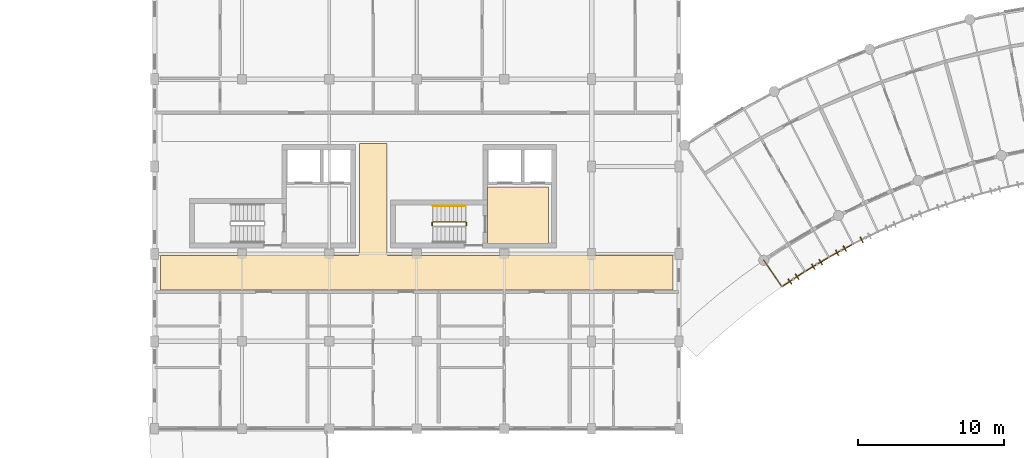
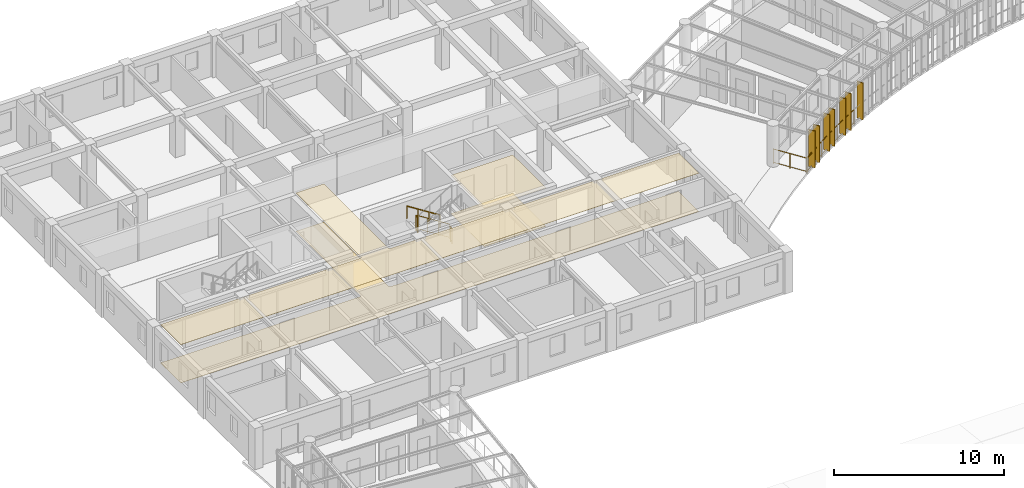
# One storey, part 95 of 100: 8 railings, 7 shading devices, 4 coverings.
"""IFC4 building model written with IfcOpenShell, lengths in metres."""

from ifc_helpers import new_model, si_unit, direction, frame, origin, origin_2d, place, context, subcontext, project, spatial, polyline, rectangle, circle, outline, extrude, material, layer, layer_set, type_object, element, save


model = new_model("IFC4")

# Units and contexts
model_context = context("Model", 3, precision=1e-05, world=origin(), true_north=direction((0.0, 1.0)))
body_context = subcontext(model_context, "Body", "Model", "MODEL_VIEW")
ifc_project = project(units=[si_unit("LENGTHUNIT", "METRE"), si_unit("AREAUNIT", "SQUARE_METRE"), si_unit("VOLUMEUNIT", "CUBIC_METRE"), si_unit("PLANEANGLEUNIT", "RADIAN"), si_unit("MASSUNIT", "GRAM", prefix="KILO"), si_unit("POWERUNIT", "WATT"), si_unit("THERMODYNAMICTEMPERATUREUNIT", "KELVIN")], contexts=[model_context])

# Site, building, storey
site_placement = place(None, origin())
site = spatial("IfcSite", under=ifc_project, at=site_placement, CompositionType="ELEMENT")
building_placement = place(site_placement, origin())
building = spatial("IfcBuilding", under=site, at=building_placement, Name="Ruvembo Vaulted Housing Court", CompositionType="ELEMENT")
storey_placement = place(building_placement, frame((0.0, 0.0, 10.89990234375)))
storey = spatial("IfcBuildingStorey", under=building, at=storey_placement, Name="L03", CompositionType="ELEMENT", Elevation=10.89990234375)

# Coverings
ifc_material_1 = material(Name="Perforated Mineral-Fibre Acoustic Tile", Category="gypsum")
ifc_layer_1 = layer(ifc_material_1, 0.02001953125, Name="Perforated Mineral-Fibre Acoustic Tile")
ifc_layer_set_1 = layer_set([ifc_layer_1], Name="Perforated Mineral-Fibre Acoustic Tile")
covering_type_1 = type_object("IfcCoveringType", Name="COV-CEIL-ACOUST", PredefinedType="CEILING", material=ifc_layer_set_1)
covering_1_placement = place(storey_placement, frame((0.0, 0.0, 2.75)))
element("IfcCovering", 1, at=covering_1_placement, inside=storey, type_object=covering_type_1, Name="Protected Core Lobby B2 Ceiling", PredefinedType="CEILING", context=body_context, shape_type="SweptSolid", body=[
    extrude(outline(polyline([(75.050048828125, 94.60009765625), (70.85009765625, 94.60009765625), (70.85009765625, 90.699951171875), (75.050048828125, 90.699951171875), (75.050048828125, 94.60009765625)])), origin(), (0.0, 0.0, 1.0), 0.02001953125),
])
covering_2_placement = place(storey_placement, frame((0.0, 0.0, 2.75)))
element("IfcCovering", 2, at=covering_2_placement, inside=storey, type_object=covering_type_1, Name="Block B L03 Corridor Ceiling", PredefinedType="CEILING", context=body_context, shape_type="SweptSolid", body=[
    extrude(outline(polyline([(83.590087890625, 87.510009765625), (83.590087890625, 89.889892578125), (64.050048828125, 89.889892578125), (64.039306640625, 89.890380859375), (64.028564453125, 89.89208984375), (64.01806640625, 89.894775390625), (64.0078125, 89.8984375), (63.998046875, 89.903076171875), (63.989013671875, 89.908447265625), (63.980224609375, 89.9150390625), (63.97216796875, 89.922119140625), (63.965087890625, 89.93017578125), (63.95849609375, 89.93896484375), (63.952880859375, 89.947998046875), (63.948486328125, 89.9580078125), (63.944580078125, 89.968017578125), (63.942138671875, 89.978515625), (63.9404296875, 89.9892578125), (63.93994140625, 90.0), (63.93994140625, 97.590087890625), (62.06005859375, 97.590087890625), (62.06005859375, 90.0), (62.0595703125, 89.9892578125), (62.057861328125, 89.978515625), (62.055419921875, 89.968017578125), (62.051513671875, 89.9580078125), (62.047119140625, 89.947998046875), (62.04150390625, 89.93896484375), (62.034912109375, 89.93017578125), (62.02783203125, 89.922119140625), (62.019775390625, 89.9150390625), (62.010986328125, 89.908447265625), (62.001953125, 89.903076171875), (61.9921875, 89.8984375), (61.98193359375, 89.894775390625), (61.971435546875, 89.89208984375), (61.960693359375, 89.890380859375), (61.949951171875, 89.889892578125), (48.409912109375, 89.889892578125), (48.409912109375, 87.510009765625), (83.590087890625, 87.510009765625)])), origin(), (0.0, 0.0, 1.0), 0.02001953125),
])
ifc_material_2 = material(Name="Polished Cement-Aggregate Terrazzo", Category="stone")
ifc_layer_2 = layer(ifc_material_2, 0.02197265625, Name="Polished Cement-Aggregate Terrazzo")
ifc_layer_set_2 = layer_set([ifc_layer_2], Name="Polished Cement-Aggregate Terrazzo")
covering_type_2 = type_object("IfcCoveringType", Name="COV-FLR-CERAMIC", PredefinedType="FLOORING", material=ifc_layer_set_2)
covering_3_placement = place(storey_placement, origin())
element("IfcCovering", 3, at=covering_3_placement, inside=storey, type_object=covering_type_2, Name="Protected Core Lobby B2 Flooring", PredefinedType="FLOORING", context=body_context, shape_type="SweptSolid", body=[
    extrude(outline(polyline([(75.050048828125, 94.60009765625), (70.85009765625, 94.60009765625), (70.85009765625, 90.699951171875), (75.050048828125, 90.699951171875), (75.050048828125, 94.60009765625)])), origin(), (0.0, 0.0, 1.0), 0.022216796875),
])
covering_4_placement = place(storey_placement, origin())
element("IfcCovering", 4, at=covering_4_placement, inside=storey, type_object=covering_type_2, Name="Block B L03 Corridor Flooring", PredefinedType="FLOORING", context=body_context, shape_type="SweptSolid", body=[
    extrude(outline(polyline([(83.590087890625, 87.510009765625), (83.590087890625, 89.889892578125), (64.050048828125, 89.889892578125), (64.039306640625, 89.890380859375), (64.028564453125, 89.89208984375), (64.01806640625, 89.894775390625), (64.0078125, 89.8984375), (63.998046875, 89.903076171875), (63.989013671875, 89.908447265625), (63.980224609375, 89.9150390625), (63.97216796875, 89.922119140625), (63.965087890625, 89.93017578125), (63.95849609375, 89.93896484375), (63.952880859375, 89.947998046875), (63.948486328125, 89.9580078125), (63.944580078125, 89.968017578125), (63.942138671875, 89.978515625), (63.9404296875, 89.9892578125), (63.93994140625, 90.0), (63.93994140625, 97.590087890625), (62.06005859375, 97.590087890625), (62.06005859375, 90.0), (62.0595703125, 89.9892578125), (62.057861328125, 89.978515625), (62.055419921875, 89.968017578125), (62.051513671875, 89.9580078125), (62.047119140625, 89.947998046875), (62.04150390625, 89.93896484375), (62.034912109375, 89.93017578125), (62.02783203125, 89.922119140625), (62.019775390625, 89.9150390625), (62.010986328125, 89.908447265625), (62.001953125, 89.903076171875), (61.9921875, 89.8984375), (61.98193359375, 89.894775390625), (61.971435546875, 89.89208984375), (61.960693359375, 89.890380859375), (61.949951171875, 89.889892578125), (48.409912109375, 89.889892578125), (48.409912109375, 87.510009765625), (83.590087890625, 87.510009765625)])), origin(), (0.0, 0.0, 1.0), 0.022216796875),
])

# Railings
ifc_material_3 = material(Name="Galvanised Painted Steel S275", Category="steel")
ifc_layer_3 = layer(ifc_material_3, 0.06005859375, Name="Galvanised Painted Steel S275")
ifc_layer_set_3 = layer_set([ifc_layer_3], Name="Galvanised Painted Steel S275")
railing_type_1 = type_object("IfcRailingType", Name="RL-GUARD-1100", PredefinedType="GUARDRAIL", material=ifc_layer_set_3)
railing_1_placement = place(storey_placement, frame((89.82177734375, 89.564453125, 0.0)))
element("IfcRailing", 5, at=railing_1_placement, inside=storey, type_object=railing_type_1, Name="L03 Perimeter Guard RL-EXT-L03-0662", PredefinedType="GUARDRAIL", context=body_context, shape_type="SweptSolid", body=[
    extrude(circle(Radius=0.02392578125, at=origin_2d()), frame((0.0, 0.0, 1.076171875), z_axis=(0.566222630619, -0.82425234763, 0.0), x_axis=(0.82425234763, 0.566222630619, 0.0)), (0.0, 0.0, 1.0), 2.199951171875),
    extrude(circle(Radius=0.01806640625, at=origin_2d()), frame((0.0, 0.0, 0.1201171875), z_axis=(0.566222630619, -0.82425234763, 0.0), x_axis=(0.82425234763, 0.566222630619, 0.0)), (0.0, 0.0, 1.0), 2.199951171875),
    extrude(circle(Radius=0.02099609375, at=origin_2d()), origin(), (0.0, 0.0, 1.0), 1.052001953125),
    extrude(circle(Radius=0.02099609375, at=origin_2d()), frame((0.622802734375, -0.90673828125, 0.0)), (0.0, 0.0, 1.0), 1.052001953125),
    extrude(circle(Radius=0.02099609375, at=origin_2d()), frame((1.24560546875, -1.813232421875, 0.0)), (0.0, 0.0, 1.0), 1.052001953125),
])
railing_2_placement = place(storey_placement, frame((91.0673828125, 87.751220703125, 0.0)))
element("IfcRailing", 6, at=railing_2_placement, inside=storey, type_object=railing_type_1, Name="L03 Perimeter Guard RL-EXT-L03-0663", PredefinedType="GUARDRAIL", context=body_context, shape_type="SweptSolid", body=[
    extrude(circle(Radius=0.02392578125, at=origin_2d()), frame((0.0, 0.0, 1.076171875), z_axis=(0.835902452778, 0.548878027834, 0.0), x_axis=(-0.548878027834, 0.835902452778, 0.0)), (0.0, 0.0, 1.0), 1.901123046875),
    extrude(circle(Radius=0.01806640625, at=origin_2d()), frame((0.0, 0.0, 0.1201171875), z_axis=(0.835902452778, 0.548878027834, 0.0), x_axis=(-0.548878027834, 0.835902452778, 0.0)), (0.0, 0.0, 1.0), 1.901123046875),
    extrude(circle(Radius=0.02099609375, at=origin_2d()), origin(), (0.0, 0.0, 1.0), 1.052001953125),
    extrude(circle(Radius=0.02099609375, at=origin_2d()), frame((0.79443359375, 0.521728515625, 0.0)), (0.0, 0.0, 1.0), 1.052001953125),
    extrude(circle(Radius=0.02099609375, at=origin_2d()), frame((1.589111328125, 1.04345703125, 0.0)), (0.0, 0.0, 1.0), 1.052001953125),
])
railing_3_placement = place(storey_placement, frame((92.656494140625, 88.794677734375, 0.0)))
element("IfcRailing", 7, at=railing_3_placement, inside=storey, type_object=railing_type_1, Name="L03 Perimeter Guard RL-EXT-L03-0664", PredefinedType="GUARDRAIL", context=body_context, shape_type="SweptSolid", body=[
    extrude(circle(Radius=0.02392578125, at=origin_2d()), frame((0.0, 0.0, 1.076171875), z_axis=(0.857889282303, 0.513834583607, 0.0), x_axis=(-0.513834583607, 0.857889282303, 0.0)), (0.0, 0.0, 1.0), 1.901123046875),
    extrude(circle(Radius=0.01806640625, at=origin_2d()), frame((0.0, 0.0, 0.1201171875), z_axis=(0.857889282303, 0.513834583607, 0.0), x_axis=(-0.513834583607, 0.857889282303, 0.0)), (0.0, 0.0, 1.0), 1.901123046875),
    extrude(circle(Radius=0.02099609375, at=origin_2d()), origin(), (0.0, 0.0, 1.0), 1.052001953125),
    extrude(circle(Radius=0.02099609375, at=origin_2d()), frame((0.8154296875, 0.48828125, 0.0)), (0.0, 0.0, 1.0), 1.052001953125),
    extrude(circle(Radius=0.02099609375, at=origin_2d()), frame((1.630859375, 0.976806640625, 0.0)), (0.0, 0.0, 1.0), 1.052001953125),
])
railing_4_placement = place(storey_placement, frame((94.287353515625, 89.771484375, 0.0)))
element("IfcRailing", 8, at=railing_4_placement, inside=storey, type_object=railing_type_1, Name="L03 Perimeter Guard RL-EXT-L03-0665", PredefinedType="GUARDRAIL", context=body_context, shape_type="SweptSolid", body=[
    extrude(circle(Radius=0.02392578125, at=origin_2d()), frame((0.0, 0.0, 1.076171875), z_axis=(0.878513214386, 0.477718046706, 0.0), x_axis=(-0.477718046706, 0.878513214386, 0.0)), (0.0, 0.0, 1.0), 1.901123046875),
    extrude(circle(Radius=0.01806640625, at=origin_2d()), frame((0.0, 0.0, 0.1201171875), z_axis=(0.878513214386, 0.477718046706, 0.0), x_axis=(-0.477718046706, 0.878513214386, 0.0)), (0.0, 0.0, 1.0), 1.901123046875),
    extrude(circle(Radius=0.02099609375, at=origin_2d()), origin(), (0.0, 0.0, 1.0), 1.052001953125),
    extrude(circle(Radius=0.02099609375, at=origin_2d()), frame((0.8349609375, 0.4541015625, 0.0)), (0.0, 0.0, 1.0), 1.052001953125),
    extrude(circle(Radius=0.02099609375, at=origin_2d()), frame((1.670166015625, 0.908203125, 0.0)), (0.0, 0.0, 1.0), 1.052001953125),
])
ifc_material_4 = material(Name="Painted Galvanised Steel S275", Category="steel")
ifc_layer_4 = layer(ifc_material_4, 0.06005859375, Name="Painted Galvanised Steel S275")
ifc_layer_set_4 = layer_set([ifc_layer_4], Name="Painted Galvanised Steel S275")
railing_type_2 = type_object("IfcRailingType", Name="RL-STAIR-GR1100", PredefinedType="GUARDRAIL", material=ifc_layer_set_4)
railing_5_placement = place(storey_placement, frame((69.35009765625, 92.199951171875, 0.177978515625)))
element("IfcRailing", 9, at=railing_5_placement, inside=storey, type_object=railing_type_2, Name="L03 ST-B2 stair guard 1", PredefinedType="GUARDRAIL", context=body_context, shape_type="SweptSolid", body=[
    extrude(circle(Radius=0.02392578125, at=origin_2d()), frame((0.0, 0.0, 1.076171875), z_axis=(-0.8442293374, 0.0, 0.53598211339), x_axis=(0.0, -1.0, 0.0)), (0.0, 0.0, 1.0), 2.6533203125),
    extrude(circle(Radius=0.01806640625, at=origin_2d()), frame((0.0, 0.0, 0.1201171875), z_axis=(-0.8442293374, 0.0, 0.53598211339), x_axis=(0.0, -1.0, 0.0)), (0.0, 0.0, 1.0), 2.6533203125),
    extrude(circle(Radius=0.02099609375, at=origin_2d()), origin(), (0.0, 0.0, 1.0), 1.052001953125),
    extrude(circle(Radius=0.02099609375, at=origin_2d()), frame((-0.74658203125, 0.0, 0.47412109375)), (0.0, 0.0, 1.0), 1.052001953125),
    extrude(circle(Radius=0.02099609375, at=origin_2d()), frame((-1.493408203125, 0.0, 0.947998046875)), (0.0, 0.0, 1.0), 1.052001953125),
    extrude(circle(Radius=0.02099609375, at=origin_2d()), frame((-2.239990234375, 0.0, 1.422119140625)), (0.0, 0.0, 1.0), 1.052001953125),
])
for number, where, name in (
    (10, (67.06005859375, 92.14990234375, 1.60009765625), "L03 ST-B2 stair guard 2"),
    (11, (69.39990234375, 92.14990234375, 0.0), "L03 ST-B2 stair guard 4"),
):
    element("IfcRailing", number, at=place(storey_placement, frame(where)), inside=storey, type_object=railing_type_2, Name=name, PredefinedType="GUARDRAIL", context=body_context, shape_type="SweptSolid", body=[
        extrude(circle(Radius=0.02392578125, at=origin_2d()), frame((0.0, 0.0, 1.076171875), z_axis=(0.0, -1.0, 0.0), x_axis=(1.0, 0.0, 0.0)), (0.0, 0.0, 1.0), 0.199951171875),
        extrude(circle(Radius=0.01806640625, at=origin_2d()), frame((0.0, 0.0, 0.1201171875), z_axis=(0.0, -1.0, 0.0), x_axis=(1.0, 0.0, 0.0)), (0.0, 0.0, 1.0), 0.199951171875),
        extrude(circle(Radius=0.02099609375, at=origin_2d()), origin(), (0.0, 0.0, 1.0), 1.052001953125),
        extrude(circle(Radius=0.02099609375, at=origin_2d()), frame((0.0, -0.199951171875, 0.0)), (0.0, 0.0, 1.0), 1.052001953125),
    ])
ifc_material_5 = material(Name="Brushed Stainless Steel 304", Category="steel")
ifc_layer_5 = layer(ifc_material_5, 0.050048828125, Name="Brushed Stainless Steel 304")
ifc_layer_set_5 = layer_set([ifc_layer_5], Name="Brushed Stainless Steel 304")
railing_type_3 = type_object("IfcRailingType", Name="RL-STAIR-HR920", PredefinedType="HANDRAIL", material=ifc_layer_set_5)
railing_6_placement = place(storey_placement, frame((69.35009765625, 93.300048828125, 0.359375)))
element("IfcRailing", 12, at=railing_6_placement, inside=storey, type_object=railing_type_3, Name="L03 ST-B2 stair handrail 1", PredefinedType="HANDRAIL", context=body_context, shape_type="SweptSolid", body=[
    extrude(circle(Radius=0.02392578125, at=origin_2d()), frame((0.0, 0.0, 0.8759765625), z_axis=(-0.8442293374, 0.0, 0.53598211339), x_axis=(0.0, -1.0, 0.0)), (0.0, 0.0, 1.0), 2.6533203125),
    extrude(circle(Radius=0.02099609375, at=origin_2d()), origin(), (0.0, 0.0, 1.0), 0.851806640625),
    extrude(circle(Radius=0.02099609375, at=origin_2d()), frame((-0.74658203125, 0.0, 0.47412109375)), (0.0, 0.0, 1.0), 0.851806640625),
    extrude(circle(Radius=0.02099609375, at=origin_2d()), frame((-1.493408203125, 0.0, 0.947998046875)), (0.0, 0.0, 1.0), 0.851806640625),
    extrude(circle(Radius=0.02099609375, at=origin_2d()), frame((-2.239990234375, 0.0, 1.422119140625)), (0.0, 0.0, 1.0), 0.851806640625),
])

# Shading devices
ifc_material_6 = material(Name="Kiln-Fired Terracotta Extrusion", Category="masonry")
shading_device_type = type_object("IfcShadingDeviceType", Name="SHD-FIN-420", PredefinedType="USERDEFINED", material=ifc_material_6)
for number, where, z_axis, x_axis, name in (
    (13, (91.611083984375, 88.108154296875, 0.05029296875), (0.0, 0.0, 1.0), (0.548964466299, -0.835845688355, 0.0), "Terracotta Brise-Soleil Fin #587"),
    (14, (92.11279296875, 88.4375, 0.05029296875), (0.0, 0.0, 1.0), (0.548964466299, -0.835845688355, 0.0), "Terracotta Brise-Soleil Fin #588"),
    (15, (93.214599609375, 89.12890625, 0.05029296875), (0.0, 0.0, 1.0), (0.513825768915, -0.857894561819, 0.0), "Terracotta Brise-Soleil Fin #589"),
    (16, (93.729248046875, 89.437255859375, 0.05029296875), (0.0, 0.0, 1.0), (0.513825768915, -0.857894561819, 0.0), "Terracotta Brise-Soleil Fin #590"),
    (17, (94.85888671875, 90.082275390625, 0.05029296875), (0.0, 0.0, 1.0), (0.477787506376, -0.878475440038, 0.0), "Terracotta Brise-Soleil Fin #591"),
    (18, (95.385986328125, 90.368896484375, 0.05029296875), (0.0, 0.0, 1.0), (0.477787506376, -0.878475440038, 0.0), "Terracotta Brise-Soleil Fin #592"),
    (19, (96.541259765625, 90.966552734375, 0.05029296875), (0.0, 0.0, 1.0), (0.440910671447, -0.897550990086, 0.0), "Terracotta Brise-Soleil Fin #593"),
):
    element("IfcShadingDevice", number, at=place(storey_placement, frame(where, z_axis=z_axis, x_axis=x_axis)), inside=storey, type_object=shading_device_type, Name=name, ObjectType="FIN", PredefinedType="USERDEFINED", context=body_context, shape_type="SweptSolid", body=[
        extrude(rectangle(XDim=0.419921875, YDim=0.06494140625, at=origin_2d()), origin(), (0.0, 0.0, 1.0), 2.633056640625),
    ])

save(model, "model.ifc")
